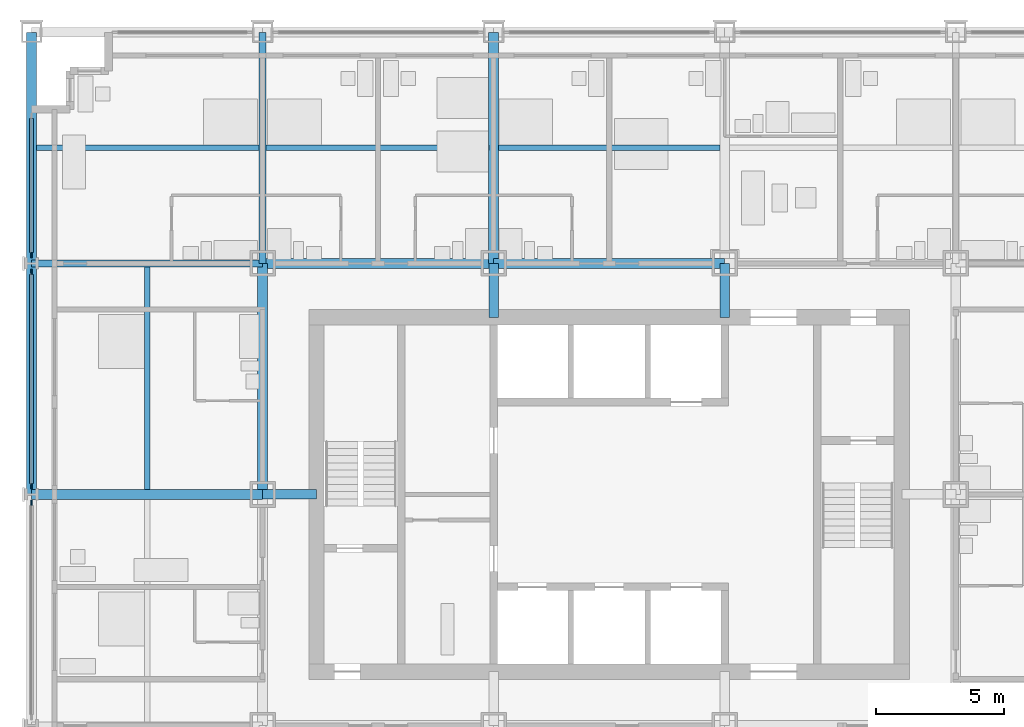
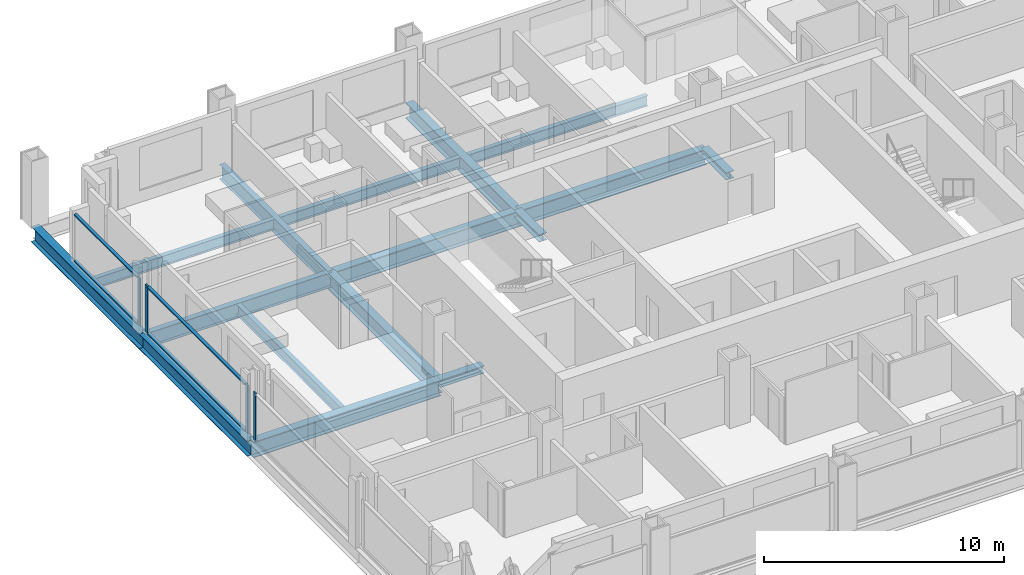
# One storey, part 4 of 16: 13 beams, 11 members, 3 elements without a shape of their own.
"""IFC4 building model written with IfcOpenShell, lengths in metres."""

from ifc_helpers import new_model, si_unit, direction, frame, origin, origin_2d, place, context, subcontext, project, spatial, rectangle, i_section, extrude, material, material_profile, profile_set, type_object, element, aggregate, save


model = new_model("IFC4")

# Units and contexts
model_context = context("Model", 3, precision=1e-05, world=origin(), true_north=direction((0.0, 1.0)))
body_context = subcontext(model_context, "Body", "Model", "MODEL_VIEW")
ifc_project = project(units=[si_unit("LENGTHUNIT", "METRE"), si_unit("AREAUNIT", "SQUARE_METRE"), si_unit("VOLUMEUNIT", "CUBIC_METRE"), si_unit("PLANEANGLEUNIT", "RADIAN"), si_unit("MASSUNIT", "GRAM", prefix="KILO")], contexts=[model_context])

# Site, building, storey
site_placement = place(None, origin())
site = spatial("IfcSite", under=ifc_project, at=site_placement, CompositionType="ELEMENT")
building_placement = place(site_placement, origin())
building = spatial("IfcBuilding", under=site, at=building_placement, Name="Loomwork Tower", CompositionType="ELEMENT")
storey_placement = place(building_placement, frame((0.0, 0.0, 97.60009765625)))
storey = spatial("IfcBuildingStorey", under=building, at=storey_placement, Name="L25", CompositionType="ELEMENT", Elevation=97.60009765625)

# Beams
ifc_material_1 = material(Name="Steel ASTM A992", Category="steel")
ifc_material_profile_1 = material_profile(ifc_material_1, i_section(OverallWidth=0.383544921875, OverallDepth=0.794921875, WebThickness=0.02099609375, FlangeThickness=0.0380859375, at=origin_2d()), Name="W30x235")
ifc_profile_set_1 = profile_set([ifc_material_profile_1], Name="Steel ASTM A992")
beam_type_1 = type_object("IfcBeamType", Name="CORE FLANK GIRDER W30x235", PredefinedType="BEAM", material=ifc_profile_set_1)
for number, where, z_axis, x_axis, name in (
    (1, (0.0, 18.0, -0.59765625), (1.0, 0.0, 0.0), (0.0, 1.0, 0.0), "Core Flank Girder F/2-F/3 L25"),
    (2, (9.0, 27.0, -0.59765625), (1.0, 0.0, 0.0), (0.0, 1.0, 0.0), "Core Flank Girder G/3-G/4 L25"),
    (3, (18.0, 27.0, -0.59765625), (1.0, 0.0, 0.0), (0.0, 1.0, 0.0), "Core Flank Girder G/4-G/5 L25"),
    (4, (9.0, 18.0, -0.59765625), (0.0, 1.0, 0.0), (-1.0, 0.0, 0.0), "Core Flank Girder F/3-G/3 L25"),
    (5, (18.0, 27.0, -0.59765625), (0.0, 1.0, 0.0), (-1.0, 0.0, 0.0), "Core Flank Girder G/4-H/4 L25"),
):
    element("IfcBeam", number, at=place(storey_placement, frame(where, z_axis=z_axis, x_axis=x_axis)), inside=storey, type_object=beam_type_1, Name=name, PredefinedType="BEAM", context=body_context, shape_type="SweptSolid", body=[
        extrude(i_section(OverallWidth=0.383544921875, OverallDepth=0.794921875, WebThickness=0.02099609375, FlangeThickness=0.0380859375, at=origin_2d()), origin(), (0.0, 0.0, 1.0), 9.0),
    ])

# Members
ifc_material_2 = material(Name="Steel ASTM A992", Category="steel")
ifc_material_profile_2 = material_profile(ifc_material_2, i_section(OverallWidth=0.373291015625, OverallDepth=0.373291015625, WebThickness=0.016357421875, FlangeThickness=0.026123046875, at=origin_2d()), Name="W14x132")
ifc_profile_set_2 = profile_set([ifc_material_profile_2], Name="Steel ASTM A992")
member_type_1 = type_object("IfcMemberType", Name="CORE LINK STRUT W14x132", PredefinedType="STRUT", material=ifc_profile_set_2)
for number, where, z_axis, x_axis, name in (
    (6, (27.0, 27.0, -0.38671875), (0.0, -1.0, 0.0), (1.0, 0.0, 0.0), "Core link strut G/5-27.000,24.900 L25"),
    (7, (18.0, 27.0, -0.38671875), (0.0, -1.0, 0.0), (1.0, 0.0, 0.0), "Core link strut G/4-18.000,24.900 L25"),
    (8, (9.0, 18.0, -0.38671875), (1.0, 0.0, 0.0), (0.0, 1.0, 0.0), "Core link strut F/3-11.100,18.000 L25"),
):
    element("IfcMember", number, at=place(storey_placement, frame(where, z_axis=z_axis, x_axis=x_axis)), inside=storey, type_object=member_type_1, Name=name, PredefinedType="STRUT", context=body_context, shape_type="SweptSolid", body=[
        extrude(i_section(OverallWidth=0.373291015625, OverallDepth=0.373291015625, WebThickness=0.016357421875, FlangeThickness=0.026123046875, at=origin_2d()), origin(), (0.0, 0.0, 1.0), 2.10009765625),
    ])

# Beams
ifc_material_3 = material(Name="Steel ASTM A992", Category="steel")
ifc_material_profile_3 = material_profile(ifc_material_3, i_section(OverallWidth=0.2666015625, OverallDepth=0.761962890625, WebThickness=0.014404296875, FlangeThickness=0.021484375, at=origin_2d()), Name="W30x116")
ifc_profile_set_3 = profile_set([ifc_material_profile_3], Name="Steel ASTM A992")
beam_type_2 = type_object("IfcBeamType", Name="FLOOR GIRDER W30x116", PredefinedType="BEAM", material=ifc_profile_set_3)
for number, where, z_axis, x_axis, name in (
    (9, (0.0, 27.0, -0.5810546875), (1.0, 0.0, 0.0), (0.0, 1.0, 0.0), "Floor Girder G/2-G/3 L25"),
    (10, (9.0, 27.0, -0.5810546875), (0.0, 1.0, 0.0), (-1.0, 0.0, 0.0), "Floor Girder G/3-H/3 L25"),
):
    element("IfcBeam", number, at=place(storey_placement, frame(where, z_axis=z_axis, x_axis=x_axis)), inside=storey, type_object=beam_type_2, Name=name, PredefinedType="BEAM", context=body_context, shape_type="SweptSolid", body=[
        extrude(i_section(OverallWidth=0.2666015625, OverallDepth=0.761962890625, WebThickness=0.014404296875, FlangeThickness=0.021484375, at=origin_2d()), origin(), (0.0, 0.0, 1.0), 9.0),
    ])
ifc_material_4 = material(Name="Steel ASTM A992", Category="steel")
ifc_material_profile_4 = material_profile(ifc_material_4, i_section(OverallWidth=0.2109375, OverallDepth=0.53857421875, WebThickness=0.011474609375, FlangeThickness=0.018798828125, at=origin_2d()), Name="W21x73")
ifc_profile_set_4 = profile_set([ifc_material_profile_4], Name="Steel ASTM A992")
beam_type_3 = type_object("IfcBeamType", Name="FLOOR JOIST W21x73", PredefinedType="JOIST", material=ifc_profile_set_4)
beam_1_placement = place(storey_placement, frame((4.5, 18.19091796875, -0.46923828125), z_axis=(0.0, 1.0, 0.0), x_axis=(-1.0, 0.0, 0.0)))
element("IfcBeam", 11, at=beam_1_placement, inside=storey, type_object=beam_type_3, Name="Floor Joist 4.500,18.000-4.500,27.000 L25", PredefinedType="JOIST", context=body_context, shape_type="SweptSolid", body=[
    extrude(i_section(OverallWidth=0.2109375, OverallDepth=0.53857421875, WebThickness=0.011474609375, FlangeThickness=0.018798828125, at=origin_2d()), origin(), (0.0, 0.0, 1.0), 8.676025390625),
])
beam_2_placement = place(storey_placement, frame((0.18994140625, 31.5, -0.46923828125), z_axis=(1.0, 0.0, 0.0), x_axis=(0.0, 1.0, 0.0)))
element("IfcBeam", 12, at=beam_2_placement, inside=storey, type_object=beam_type_3, Name="Floor Joist 0.000,31.500-9.000,31.500 L25", PredefinedType="JOIST", context=body_context, shape_type="SweptSolid", body=[
    extrude(i_section(OverallWidth=0.2109375, OverallDepth=0.53857421875, WebThickness=0.011474609375, FlangeThickness=0.018798828125, at=origin_2d()), origin(), (0.0, 0.0, 1.0), 8.677001953125),
])
beam_3_placement = place(storey_placement, frame((9.133056640625, 31.5, -0.46923828125), z_axis=(1.0, 0.0, 0.0), x_axis=(0.0, 1.0, 0.0)))
element("IfcBeam", 13, at=beam_3_placement, inside=storey, type_object=beam_type_3, Name="Floor Joist 9.000,31.500-18.000,31.500 L25", PredefinedType="JOIST", context=body_context, shape_type="SweptSolid", body=[
    extrude(i_section(OverallWidth=0.2109375, OverallDepth=0.53857421875, WebThickness=0.011474609375, FlangeThickness=0.018798828125, at=origin_2d()), origin(), (0.0, 0.0, 1.0), 8.676025390625),
])
beam_4_placement = place(storey_placement, frame((18.19091796875, 31.5, -0.46923828125), z_axis=(1.0, 0.0, 0.0), x_axis=(0.0, 1.0, 0.0)))
element("IfcBeam", 14, at=beam_4_placement, inside=storey, type_object=beam_type_3, Name="Floor Joist 18.000,31.500-27.000,31.500 L25", PredefinedType="JOIST", context=body_context, shape_type="SweptSolid", body=[
    extrude(i_section(OverallWidth=0.2109375, OverallDepth=0.53857421875, WebThickness=0.011474609375, FlangeThickness=0.018798828125, at=origin_2d()), origin(), (0.0, 0.0, 1.0), 8.6181640625),
])

# Curtain wall, member
ifc_material_5 = material(Name="Aluminium curtain wall frame", Category="aluminium")
curtain_wall_type = type_object("IfcCurtainWallType", Name="Outer skin glazing hotel", PredefinedType="NOTDEFINED", material=ifc_material_5)
curtain_wall_1_placement = place(storey_placement, origin())
curtain_wall_1 = element("IfcCurtainWall", 15, at=curtain_wall_1_placement, inside=storey, type_object=curtain_wall_type, Name="Outer skin glazing hotel cw/W-9", PredefinedType="NOTDEFINED")
ifc_material_6 = material(Name="Aluminium curtain wall frame", Category="aluminium")
ifc_material_profile_5 = material_profile(ifc_material_6, rectangle(XDim=0.06494140625, YDim=0.199951171875, at=origin_2d()), Name="AL 65x200")
ifc_profile_set_5 = profile_set([ifc_material_profile_5], Name="Aluminium curtain wall frame")
member_type_2 = type_object("IfcMemberType", Name="Outer skin glazing hotel mullion", PredefinedType="MULLION", material=ifc_profile_set_5)
member_1_placement = place(storey_placement, frame((0.0, 17.67529296875, 0.0), z_axis=(0.0, 0.0, 1.0), x_axis=(1.0, 0.0, 0.0)))
member_1 = element("IfcMember", 16, at=member_1_placement, type_object=member_type_2, Name="CW1 mullion 1", PredefinedType="MULLION", context=body_context, shape_type="SweptSolid", body=[
    extrude(rectangle(XDim=0.06494140625, YDim=0.199951171875, at=origin_2d()), origin(), (0.0, 0.0, 1.0), 2.420166015625),
])
aggregate(curtain_wall_1, [member_1])

# Curtain wall, members
curtain_wall_2_placement = place(storey_placement, origin())
curtain_wall_2 = element("IfcCurtainWall", 17, at=curtain_wall_2_placement, inside=storey, type_object=curtain_wall_type, Name="Outer skin glazing hotel cw/W-18", PredefinedType="NOTDEFINED")
member_2_placement = place(storey_placement, frame((0.0, 26.67529296875, 0.0), z_axis=(0.0, 0.0, 1.0), x_axis=(1.0, 0.0, 0.0)))
member_2 = element("IfcMember", 18, at=member_2_placement, type_object=member_type_2, Name="CW1 mullion 1", PredefinedType="MULLION", context=body_context, shape_type="SweptSolid", body=[
    extrude(rectangle(XDim=0.06494140625, YDim=0.199951171875, at=origin_2d()), origin(), (0.0, 0.0, 1.0), 2.420166015625),
])
member_3_placement = place(storey_placement, frame((0.0, 18.32470703125, 0.0), z_axis=(0.0, 0.0, 1.0), x_axis=(1.0, 0.0, 0.0)))
member_3 = element("IfcMember", 19, at=member_3_placement, type_object=member_type_2, Name="CW1 mullion 2", PredefinedType="MULLION", context=body_context, shape_type="SweptSolid", body=[
    extrude(rectangle(XDim=0.06494140625, YDim=0.199951171875, at=origin_2d()), origin(), (0.0, 0.0, 1.0), 2.420166015625),
])

# Curtain wall, member
curtain_wall_3_placement = place(storey_placement, origin())
curtain_wall_3 = element("IfcCurtainWall", 20, at=curtain_wall_3_placement, inside=storey, type_object=curtain_wall_type, Name="Outer skin glazing hotel cw/W-27", PredefinedType="NOTDEFINED")
member_4_placement = place(storey_placement, frame((0.0, 27.32470703125, 0.0), z_axis=(0.0, 0.0, 1.0), x_axis=(1.0, 0.0, 0.0)))
member_4 = element("IfcMember", 21, at=member_4_placement, type_object=member_type_2, Name="CW1 mullion 2", PredefinedType="MULLION", context=body_context, shape_type="SweptSolid", body=[
    extrude(rectangle(XDim=0.06494140625, YDim=0.199951171875, at=origin_2d()), origin(), (0.0, 0.0, 1.0), 2.420166015625),
])

# Member
ifc_material_7 = material(Name="Aluminium curtain wall frame", Category="aluminium")
ifc_material_profile_6 = material_profile(ifc_material_7, rectangle(XDim=0.14990234375, YDim=0.06494140625, at=origin_2d()), Name="AL 65x150")
ifc_profile_set_6 = profile_set([ifc_material_profile_6], Name="Aluminium curtain wall frame")
member_type_3 = type_object("IfcMemberType", Name="Outer skin glazing hotel transom", PredefinedType="USERDEFINED", material=ifc_profile_set_6)
member_5_placement = place(storey_placement, frame((0.0, 26.5751953125, 0.032470703125), z_axis=(0.0, -1.0, 0.0), x_axis=(1.0, 0.0, 0.0)))
member_5 = element("IfcMember", 22, at=member_5_placement, type_object=member_type_3, Name="CW1 transom 1.1", ObjectType="TRANSOM", PredefinedType="USERDEFINED", context=body_context, shape_type="SweptSolid", body=[
    extrude(rectangle(XDim=0.14990234375, YDim=0.06494140625, at=origin_2d()), origin(), (0.0, 0.0, 1.0), 8.150390625),
])

member_6_placement = place(storey_placement, frame((0.0, 26.5751953125, 2.3876953125), z_axis=(0.0, -1.0, 0.0), x_axis=(1.0, 0.0, 0.0)))
member_6 = element("IfcMember", 23, at=member_6_placement, type_object=member_type_3, Name="CW1 transom 1.2", ObjectType="TRANSOM", PredefinedType="USERDEFINED", context=body_context, shape_type="SweptSolid", body=[
    extrude(rectangle(XDim=0.14990234375, YDim=0.06494140625, at=origin_2d()), origin(), (0.0, 0.0, 1.0), 8.150390625),
])

aggregate(curtain_wall_2, [member_2, member_3, member_5, member_6])

member_7_placement = place(storey_placement, frame((0.0, 32.64990234375, 0.032470703125), z_axis=(0.0, -1.0, 0.0), x_axis=(1.0, 0.0, 0.0)))
member_7 = element("IfcMember", 24, at=member_7_placement, type_object=member_type_3, Name="CW1 transom 1.1", ObjectType="TRANSOM", PredefinedType="USERDEFINED", context=body_context, shape_type="SweptSolid", body=[
    extrude(rectangle(XDim=0.14990234375, YDim=0.06494140625, at=origin_2d()), origin(), (0.0, 0.0, 1.0), 5.22509765625),
])

member_8_placement = place(storey_placement, frame((0.0, 32.64990234375, 2.3876953125), z_axis=(0.0, -1.0, 0.0), x_axis=(1.0, 0.0, 0.0)))
member_8 = element("IfcMember", 25, at=member_8_placement, type_object=member_type_3, Name="CW1 transom 1.2", ObjectType="TRANSOM", PredefinedType="USERDEFINED", context=body_context, shape_type="SweptSolid", body=[
    extrude(rectangle(XDim=0.14990234375, YDim=0.06494140625, at=origin_2d()), origin(), (0.0, 0.0, 1.0), 5.22509765625),
])

aggregate(curtain_wall_3, [member_4, member_7, member_8])

# Beams
ifc_material_8 = material(Name="Steel ASTM A992", Category="steel")
ifc_material_profile_7 = material_profile(ifc_material_8, i_section(OverallWidth=0.381103515625, OverallDepth=0.77978515625, WebThickness=0.01806640625, FlangeThickness=0.0302734375, at=origin_2d()), Name="W30x191")
ifc_profile_set_7 = profile_set([ifc_material_profile_7], Name="Steel ASTM A992")
beam_type_4 = type_object("IfcBeamType", Name="SPANDREL GIRDER W30x191", PredefinedType="SPANDREL", material=ifc_profile_set_7)
for number, where, z_axis, x_axis, name in (
    (26, (0.0, 18.0, -0.590087890625), (0.0, 1.0, 0.0), (-1.0, 0.0, 0.0), "Spandrel Girder F/2-G/2 L25"),
    (27, (0.0, 27.0, -0.590087890625), (0.0, 1.0, 0.0), (-1.0, 0.0, 0.0), "Spandrel Girder G/2-H/2 L25"),
):
    element("IfcBeam", number, at=place(storey_placement, frame(where, z_axis=z_axis, x_axis=x_axis)), inside=storey, type_object=beam_type_4, Name=name, PredefinedType="SPANDREL", context=body_context, shape_type="SweptSolid", body=[
        extrude(i_section(OverallWidth=0.381103515625, OverallDepth=0.77978515625, WebThickness=0.01806640625, FlangeThickness=0.0302734375, at=origin_2d()), origin(), (0.0, 0.0, 1.0), 9.0),
    ])

save(model, "model.ifc")
